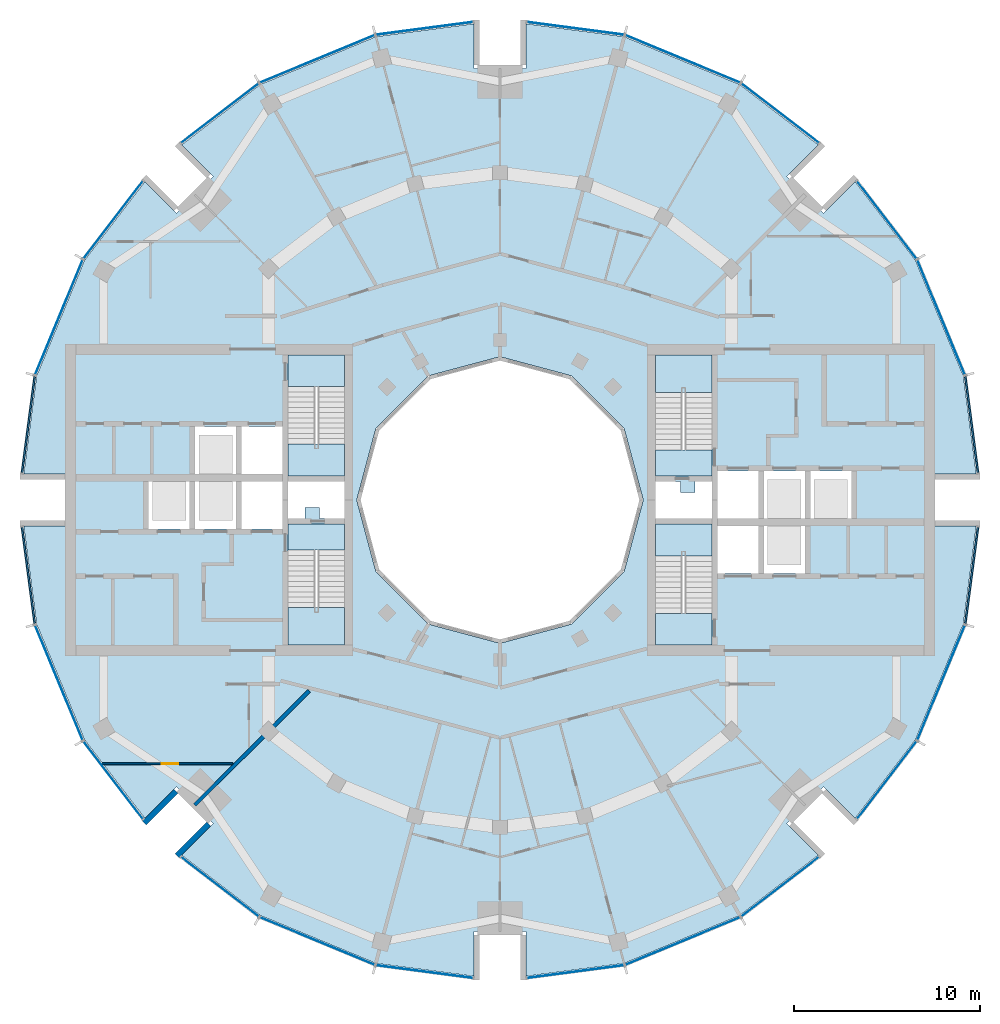
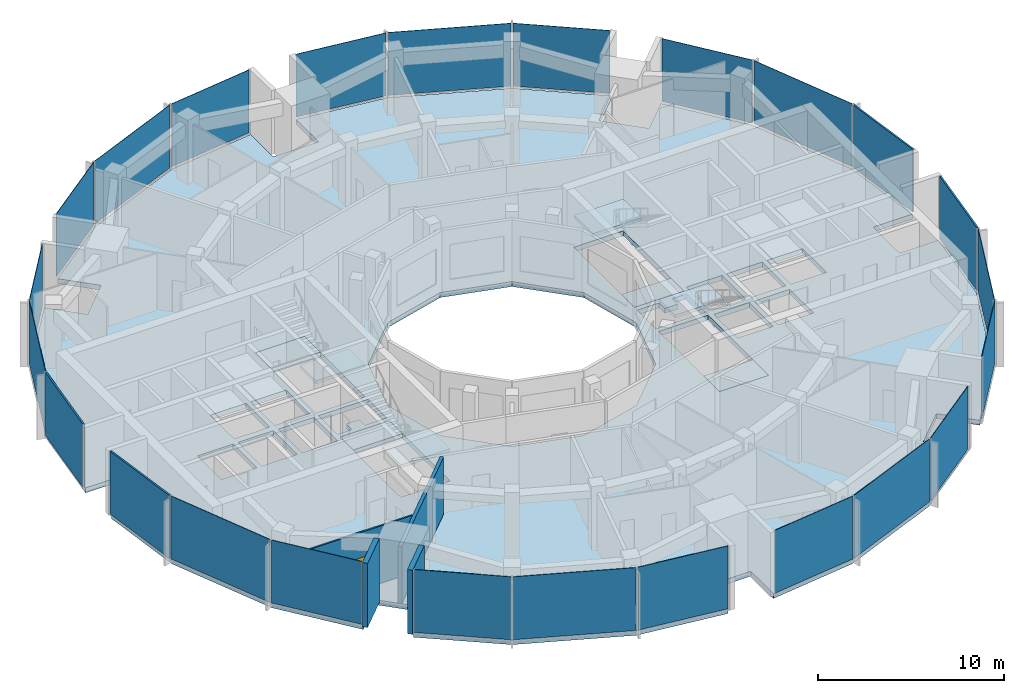
# One storey, part 7 of 15: 24 plates, 9 slabs, 4 walls, 1 door, 1 opening, 28 elements without a shape of their own.
"""IFC4 building model written with IfcOpenShell, lengths in metres."""

from ifc_helpers import new_model, si_unit, direction, frame, frame_2d, origin, origin_2d, place, context, subcontext, project, spatial, polyline, rectangle, outline, extrude, material, layer, layer_set, type_object, element, fill, aggregate, save


model = new_model("IFC4")

# Units and contexts
model_context = context("Model", 3, precision=1e-05, world=origin(), true_north=direction((0.0, 1.0)))
body_context = subcontext(model_context, "Body", "Model", "MODEL_VIEW")
ifc_project = project(units=[si_unit("LENGTHUNIT", "METRE"), si_unit("AREAUNIT", "SQUARE_METRE"), si_unit("VOLUMEUNIT", "CUBIC_METRE"), si_unit("PLANEANGLEUNIT", "RADIAN"), si_unit("MASSUNIT", "GRAM", prefix="KILO")], contexts=[model_context])

# Site, building, storey
site_placement = place(None, origin())
site = spatial("IfcSite", under=ifc_project, at=site_placement, CompositionType="ELEMENT")
building_placement = place(site_placement, origin())
building = spatial("IfcBuilding", under=site, at=building_placement, Name="Torre Brocal", CompositionType="ELEMENT")
storey_placement = place(building_placement, frame((0.0, 0.0, 262.5)))
storey = spatial("IfcBuildingStorey", under=building, at=storey_placement, Name="L60", CompositionType="ELEMENT", Elevation=262.5)

# Curtain wall, plate
ifc_material_1 = material(Name="Aluminium and glass", Category="aluminium")
ifc_layer_1 = layer(ifc_material_1, 0.199951171875)
ifc_layer_set_1 = layer_set([ifc_layer_1], Name="Aluminium and glass")
curtain_wall_type_1 = type_object("IfcCurtainWallType", Name="CW-1 CURTAIN WALL 4200 HIGH", PredefinedType="NOTDEFINED", material=ifc_layer_set_1)
curtain_wall_1_placement = place(storey_placement, origin())
curtain_wall_1 = element("IfcCurtainWall", 1, at=curtain_wall_1_placement, inside=storey, type_object=curtain_wall_type_1, Name="CW-1 RUN 2", PredefinedType="NOTDEFINED")
ifc_material_2 = material(Name="Glass, dark tinted laminated", Category="glass")
ifc_layer_2 = layer(ifc_material_2, 0.031982421875)
ifc_layer_set_2 = layer_set([ifc_layer_2], Name="Glass, dark tinted laminated")
plate_type_1 = type_object("IfcPlateType", Name="CW-1 GLASS PANEL 32", PredefinedType="CURTAIN_PANEL", material=ifc_layer_set_2)
plate_1_placement = place(storey_placement, frame((103.722900390625, 84.826416015625, 0.079833984375), z_axis=(0.0, 0.0, 1.0), x_axis=(-0.382683432333, 0.923879532525, 0.0)))
plate_1 = element("IfcPlate", 2, at=plate_1_placement, type_object=plate_type_1, Name="CW1-5 panel 1.1", PredefinedType="CURTAIN_PANEL", context=body_context, shape_type="SweptSolid", body=[
    extrude(rectangle(XDim=6.64111328125, YDim=0.031982421875, at=origin_2d()), origin(), (0.0, 0.0, 1.0), 4.1201171875),
])
aggregate(curtain_wall_1, [plate_1])

curtain_wall_2_placement = place(storey_placement, origin())
curtain_wall_2 = element("IfcCurtainWall", 3, at=curtain_wall_2_placement, inside=storey, type_object=curtain_wall_type_1, Name="CW-1 RUN 3", PredefinedType="NOTDEFINED")
plate_2_placement = place(storey_placement, frame((100.80126953125, 90.0712890625, 0.079833984375), z_axis=(0.0, 0.0, 1.0), x_axis=(-0.60876142905, 0.793353340259, 0.0)))
plate_2 = element("IfcPlate", 4, at=plate_2_placement, type_object=plate_type_1, Name="CW1-5 panel 1.1", PredefinedType="CURTAIN_PANEL", context=body_context, shape_type="SweptSolid", body=[
    extrude(rectangle(XDim=5.22900390625, YDim=0.031982421875, at=origin_2d()), origin(), (0.0, 0.0, 1.0), 4.1201171875),
])
aggregate(curtain_wall_2, [plate_2])

curtain_wall_3_placement = place(storey_placement, origin())
curtain_wall_3 = element("IfcCurtainWall", 5, at=curtain_wall_3_placement, inside=storey, type_object=curtain_wall_type_1, Name="CW-1 RUN 4", PredefinedType="NOTDEFINED")
plate_3_placement = place(storey_placement, frame((95.0712890625, 95.80126953125, 0.079833984375), z_axis=(0.0, 0.0, 1.0), x_axis=(-0.793353340259, 0.60876142905, 0.0)))
plate_3 = element("IfcPlate", 6, at=plate_3_placement, type_object=plate_type_1, Name="CW1-5 panel 1.1", PredefinedType="CURTAIN_PANEL", context=body_context, shape_type="SweptSolid", body=[
    extrude(rectangle(XDim=5.22900390625, YDim=0.031982421875, at=origin_2d()), origin(), (0.0, 0.0, 1.0), 4.1201171875),
])
aggregate(curtain_wall_3, [plate_3])

curtain_wall_4_placement = place(storey_placement, origin())
curtain_wall_4 = element("IfcCurtainWall", 7, at=curtain_wall_4_placement, inside=storey, type_object=curtain_wall_type_1, Name="CW-1 RUN 5", PredefinedType="NOTDEFINED")
plate_4_placement = place(storey_placement, frame((89.826416015625, 98.722900390625, 0.079833984375), z_axis=(0.0, 0.0, 1.0), x_axis=(-0.923879532525, 0.382683432333, 0.0)))
plate_4 = element("IfcPlate", 8, at=plate_4_placement, type_object=plate_type_1, Name="CW1-5 panel 1.1", PredefinedType="CURTAIN_PANEL", context=body_context, shape_type="SweptSolid", body=[
    extrude(rectangle(XDim=6.64111328125, YDim=0.031982421875, at=origin_2d()), origin(), (0.0, 0.0, 1.0), 4.1201171875),
])
aggregate(curtain_wall_4, [plate_4])

curtain_wall_5_placement = place(storey_placement, origin())
curtain_wall_5 = element("IfcCurtainWall", 9, at=curtain_wall_5_placement, inside=storey, type_object=curtain_wall_type_1, Name="CW-1 RUN 6", PredefinedType="NOTDEFINED")
plate_5_placement = place(storey_placement, frame((84.051513671875, 100.36572265625, 0.079833984375), z_axis=(0.0, 0.0, 1.0), x_axis=(-0.991444861374, 0.13052619222, 0.0)))
plate_5 = element("IfcPlate", 10, at=plate_5_placement, type_object=plate_type_1, Name="CW1-5 panel 1.1", PredefinedType="CURTAIN_PANEL", context=body_context, shape_type="SweptSolid", body=[
    extrude(rectangle(XDim=5.22900390625, YDim=0.031982421875, at=origin_2d()), origin(), (0.0, 0.0, 1.0), 4.1201171875),
])
aggregate(curtain_wall_5, [plate_5])

curtain_wall_6_placement = place(storey_placement, origin())
curtain_wall_6 = element("IfcCurtainWall", 11, at=curtain_wall_6_placement, inside=storey, type_object=curtain_wall_type_1, Name="CW-1 RUN 7", PredefinedType="NOTDEFINED")
plate_6_placement = place(storey_placement, frame((75.948486328125, 100.36572265625, 0.079833984375), z_axis=(0.0, 0.0, 1.0), x_axis=(-0.991444861374, -0.13052619222, 0.0)))
plate_6 = element("IfcPlate", 12, at=plate_6_placement, type_object=plate_type_1, Name="CW1-5 panel 1.1", PredefinedType="CURTAIN_PANEL", context=body_context, shape_type="SweptSolid", body=[
    extrude(rectangle(XDim=5.22900390625, YDim=0.031982421875, at=origin_2d()), origin(), (0.0, 0.0, 1.0), 4.1201171875),
])
aggregate(curtain_wall_6, [plate_6])

curtain_wall_7_placement = place(storey_placement, origin())
curtain_wall_7 = element("IfcCurtainWall", 13, at=curtain_wall_7_placement, inside=storey, type_object=curtain_wall_type_1, Name="CW-1 RUN 8", PredefinedType="NOTDEFINED")
plate_7_placement = place(storey_placement, frame((70.173583984375, 98.722900390625, 0.079833984375), z_axis=(0.0, 0.0, 1.0), x_axis=(-0.923879532525, -0.382683432333, 0.0)))
plate_7 = element("IfcPlate", 14, at=plate_7_placement, type_object=plate_type_1, Name="CW1-5 panel 1.1", PredefinedType="CURTAIN_PANEL", context=body_context, shape_type="SweptSolid", body=[
    extrude(rectangle(XDim=6.64111328125, YDim=0.031982421875, at=origin_2d()), origin(), (0.0, 0.0, 1.0), 4.1201171875),
])
aggregate(curtain_wall_7, [plate_7])

curtain_wall_8_placement = place(storey_placement, origin())
curtain_wall_8 = element("IfcCurtainWall", 15, at=curtain_wall_8_placement, inside=storey, type_object=curtain_wall_type_1, Name="CW-1 RUN 9", PredefinedType="NOTDEFINED")
plate_8_placement = place(storey_placement, frame((64.9287109375, 95.80126953125, 0.079833984375), z_axis=(0.0, 0.0, 1.0), x_axis=(-0.793353340259, -0.60876142905, 0.0)))
plate_8 = element("IfcPlate", 16, at=plate_8_placement, type_object=plate_type_1, Name="CW1-5 panel 1.1", PredefinedType="CURTAIN_PANEL", context=body_context, shape_type="SweptSolid", body=[
    extrude(rectangle(XDim=5.22900390625, YDim=0.031982421875, at=origin_2d()), origin(), (0.0, 0.0, 1.0), 4.1201171875),
])
aggregate(curtain_wall_8, [plate_8])

curtain_wall_9_placement = place(storey_placement, origin())
curtain_wall_9 = element("IfcCurtainWall", 17, at=curtain_wall_9_placement, inside=storey, type_object=curtain_wall_type_1, Name="CW-1 RUN 10", PredefinedType="NOTDEFINED")
plate_9_placement = place(storey_placement, frame((59.19873046875, 90.0712890625, 0.079833984375), z_axis=(0.0, 0.0, 1.0), x_axis=(-0.60876142905, -0.793353340259, 0.0)))
plate_9 = element("IfcPlate", 18, at=plate_9_placement, type_object=plate_type_1, Name="CW1-5 panel 1.1", PredefinedType="CURTAIN_PANEL", context=body_context, shape_type="SweptSolid", body=[
    extrude(rectangle(XDim=5.22900390625, YDim=0.031982421875, at=origin_2d()), origin(), (0.0, 0.0, 1.0), 4.1201171875),
])
aggregate(curtain_wall_9, [plate_9])

curtain_wall_10_placement = place(storey_placement, origin())
curtain_wall_10 = element("IfcCurtainWall", 19, at=curtain_wall_10_placement, inside=storey, type_object=curtain_wall_type_1, Name="CW-1 RUN 11", PredefinedType="NOTDEFINED")
plate_10_placement = place(storey_placement, frame((56.277099609375, 84.826416015625, 0.079833984375), z_axis=(0.0, 0.0, 1.0), x_axis=(-0.382683432333, -0.923879532525, 0.0)))
plate_10 = element("IfcPlate", 20, at=plate_10_placement, type_object=plate_type_1, Name="CW1-5 panel 1.1", PredefinedType="CURTAIN_PANEL", context=body_context, shape_type="SweptSolid", body=[
    extrude(rectangle(XDim=6.64111328125, YDim=0.031982421875, at=origin_2d()), origin(), (0.0, 0.0, 1.0), 4.1201171875),
])
aggregate(curtain_wall_10, [plate_10])

curtain_wall_11_placement = place(storey_placement, origin())
curtain_wall_11 = element("IfcCurtainWall", 21, at=curtain_wall_11_placement, inside=storey, type_object=curtain_wall_type_1, Name="CW-1 RUN 14", PredefinedType="NOTDEFINED")
plate_11_placement = place(storey_placement, frame((56.277099609375, 65.173583984375, 0.079833984375), z_axis=(0.0, 0.0, 1.0), x_axis=(0.382683432333, -0.923879532525, 0.0)))
plate_11 = element("IfcPlate", 22, at=plate_11_placement, type_object=plate_type_1, Name="CW1-5 panel 1.1", PredefinedType="CURTAIN_PANEL", context=body_context, shape_type="SweptSolid", body=[
    extrude(rectangle(XDim=6.64111328125, YDim=0.031982421875, at=origin_2d()), origin(), (0.0, 0.0, 1.0), 4.1201171875),
])
aggregate(curtain_wall_11, [plate_11])

curtain_wall_12_placement = place(storey_placement, origin())
curtain_wall_12 = element("IfcCurtainWall", 23, at=curtain_wall_12_placement, inside=storey, type_object=curtain_wall_type_1, Name="CW-1 RUN 15", PredefinedType="NOTDEFINED")
plate_12_placement = place(storey_placement, frame((59.19873046875, 59.9287109375, 0.079833984375), z_axis=(0.0, 0.0, 1.0), x_axis=(0.60876142905, -0.793353340259, 0.0)))
plate_12 = element("IfcPlate", 24, at=plate_12_placement, type_object=plate_type_1, Name="CW1-5 panel 1.1", PredefinedType="CURTAIN_PANEL", context=body_context, shape_type="SweptSolid", body=[
    extrude(rectangle(XDim=5.22900390625, YDim=0.031982421875, at=origin_2d()), origin(), (0.0, 0.0, 1.0), 4.1201171875),
])
aggregate(curtain_wall_12, [plate_12])

curtain_wall_13_placement = place(storey_placement, origin())
curtain_wall_13 = element("IfcCurtainWall", 25, at=curtain_wall_13_placement, inside=storey, type_object=curtain_wall_type_1, Name="CW-1 RUN 16", PredefinedType="NOTDEFINED")
plate_13_placement = place(storey_placement, frame((64.9287109375, 54.19873046875, 0.079833984375), z_axis=(0.0, 0.0, 1.0), x_axis=(0.793353340259, -0.60876142905, 0.0)))
plate_13 = element("IfcPlate", 26, at=plate_13_placement, type_object=plate_type_1, Name="CW1-5 panel 1.1", PredefinedType="CURTAIN_PANEL", context=body_context, shape_type="SweptSolid", body=[
    extrude(rectangle(XDim=5.22900390625, YDim=0.031982421875, at=origin_2d()), origin(), (0.0, 0.0, 1.0), 4.1201171875),
])
aggregate(curtain_wall_13, [plate_13])

curtain_wall_14_placement = place(storey_placement, origin())
curtain_wall_14 = element("IfcCurtainWall", 27, at=curtain_wall_14_placement, inside=storey, type_object=curtain_wall_type_1, Name="CW-1 RUN 17", PredefinedType="NOTDEFINED")
plate_14_placement = place(storey_placement, frame((70.173583984375, 51.277099609375, 0.079833984375), z_axis=(0.0, 0.0, 1.0), x_axis=(0.923879532525, -0.382683432333, 0.0)))
plate_14 = element("IfcPlate", 28, at=plate_14_placement, type_object=plate_type_1, Name="CW1-5 panel 1.1", PredefinedType="CURTAIN_PANEL", context=body_context, shape_type="SweptSolid", body=[
    extrude(rectangle(XDim=6.64111328125, YDim=0.031982421875, at=origin_2d()), origin(), (0.0, 0.0, 1.0), 4.1201171875),
])
aggregate(curtain_wall_14, [plate_14])

curtain_wall_15_placement = place(storey_placement, origin())
curtain_wall_15 = element("IfcCurtainWall", 29, at=curtain_wall_15_placement, inside=storey, type_object=curtain_wall_type_1, Name="CW-1 RUN 18", PredefinedType="NOTDEFINED")
plate_15_placement = place(storey_placement, frame((75.948486328125, 49.63427734375, 0.079833984375), z_axis=(0.0, 0.0, 1.0), x_axis=(0.991444861374, -0.13052619222, 0.0)))
plate_15 = element("IfcPlate", 30, at=plate_15_placement, type_object=plate_type_1, Name="CW1-5 panel 1.1", PredefinedType="CURTAIN_PANEL", context=body_context, shape_type="SweptSolid", body=[
    extrude(rectangle(XDim=5.22900390625, YDim=0.031982421875, at=origin_2d()), origin(), (0.0, 0.0, 1.0), 4.1201171875),
])
aggregate(curtain_wall_15, [plate_15])

curtain_wall_16_placement = place(storey_placement, origin())
curtain_wall_16 = element("IfcCurtainWall", 31, at=curtain_wall_16_placement, inside=storey, type_object=curtain_wall_type_1, Name="CW-1 RUN 19", PredefinedType="NOTDEFINED")
plate_16_placement = place(storey_placement, frame((84.051513671875, 49.63427734375, 0.079833984375), z_axis=(0.0, 0.0, 1.0), x_axis=(0.991444861374, 0.13052619222, 0.0)))
plate_16 = element("IfcPlate", 32, at=plate_16_placement, type_object=plate_type_1, Name="CW1-5 panel 1.1", PredefinedType="CURTAIN_PANEL", context=body_context, shape_type="SweptSolid", body=[
    extrude(rectangle(XDim=5.22900390625, YDim=0.031982421875, at=origin_2d()), origin(), (0.0, 0.0, 1.0), 4.1201171875),
])
aggregate(curtain_wall_16, [plate_16])

curtain_wall_17_placement = place(storey_placement, origin())
curtain_wall_17 = element("IfcCurtainWall", 33, at=curtain_wall_17_placement, inside=storey, type_object=curtain_wall_type_1, Name="CW-1 RUN 20", PredefinedType="NOTDEFINED")
plate_17_placement = place(storey_placement, frame((89.826416015625, 51.277099609375, 0.079833984375), z_axis=(0.0, 0.0, 1.0), x_axis=(0.923879532525, 0.382683432333, 0.0)))
plate_17 = element("IfcPlate", 34, at=plate_17_placement, type_object=plate_type_1, Name="CW1-5 panel 1.1", PredefinedType="CURTAIN_PANEL", context=body_context, shape_type="SweptSolid", body=[
    extrude(rectangle(XDim=6.64111328125, YDim=0.031982421875, at=origin_2d()), origin(), (0.0, 0.0, 1.0), 4.1201171875),
])
aggregate(curtain_wall_17, [plate_17])

curtain_wall_18_placement = place(storey_placement, origin())
curtain_wall_18 = element("IfcCurtainWall", 35, at=curtain_wall_18_placement, inside=storey, type_object=curtain_wall_type_1, Name="CW-1 RUN 21", PredefinedType="NOTDEFINED")
plate_18_placement = place(storey_placement, frame((95.0712890625, 54.19873046875, 0.079833984375), z_axis=(0.0, 0.0, 1.0), x_axis=(0.793353340259, 0.60876142905, 0.0)))
plate_18 = element("IfcPlate", 36, at=plate_18_placement, type_object=plate_type_1, Name="CW1-5 panel 1.1", PredefinedType="CURTAIN_PANEL", context=body_context, shape_type="SweptSolid", body=[
    extrude(rectangle(XDim=5.22900390625, YDim=0.031982421875, at=origin_2d()), origin(), (0.0, 0.0, 1.0), 4.1201171875),
])
aggregate(curtain_wall_18, [plate_18])

curtain_wall_19_placement = place(storey_placement, origin())
curtain_wall_19 = element("IfcCurtainWall", 37, at=curtain_wall_19_placement, inside=storey, type_object=curtain_wall_type_1, Name="CW-1 RUN 22", PredefinedType="NOTDEFINED")
plate_19_placement = place(storey_placement, frame((100.80126953125, 59.9287109375, 0.079833984375), z_axis=(0.0, 0.0, 1.0), x_axis=(0.60876142905, 0.793353340259, 0.0)))
plate_19 = element("IfcPlate", 38, at=plate_19_placement, type_object=plate_type_1, Name="CW1-5 panel 1.1", PredefinedType="CURTAIN_PANEL", context=body_context, shape_type="SweptSolid", body=[
    extrude(rectangle(XDim=5.22900390625, YDim=0.031982421875, at=origin_2d()), origin(), (0.0, 0.0, 1.0), 4.1201171875),
])
aggregate(curtain_wall_19, [plate_19])

curtain_wall_20_placement = place(storey_placement, origin())
curtain_wall_20 = element("IfcCurtainWall", 39, at=curtain_wall_20_placement, inside=storey, type_object=curtain_wall_type_1, Name="CW-1 RUN 23", PredefinedType="NOTDEFINED")
plate_20_placement = place(storey_placement, frame((103.722900390625, 65.173583984375, 0.079833984375), z_axis=(0.0, 0.0, 1.0), x_axis=(0.382683432333, 0.923879532525, 0.0)))
plate_20 = element("IfcPlate", 40, at=plate_20_placement, type_object=plate_type_1, Name="CW1-5 panel 1.1", PredefinedType="CURTAIN_PANEL", context=body_context, shape_type="SweptSolid", body=[
    extrude(rectangle(XDim=6.64111328125, YDim=0.031982421875, at=origin_2d()), origin(), (0.0, 0.0, 1.0), 4.1201171875),
])
aggregate(curtain_wall_20, [plate_20])

ifc_material_3 = material(Name="Aluminium and glass", Category="aluminium")
ifc_layer_3 = layer(ifc_material_3, 0.199951171875)
ifc_layer_set_3 = layer_set([ifc_layer_3], Name="Aluminium and glass")
curtain_wall_type_2 = type_object("IfcCurtainWallType", Name="CW-1B CURTAIN WALL 4200 HIGH", PredefinedType="NOTDEFINED", material=ifc_layer_set_3)
curtain_wall_21_placement = place(storey_placement, origin())
curtain_wall_21 = element("IfcCurtainWall", 41, at=curtain_wall_21_placement, inside=storey, type_object=curtain_wall_type_2, Name="CW-1B RUN 1", PredefinedType="NOTDEFINED")
ifc_material_4 = material(Name="Aluminium composite panel", Category="aluminium")
ifc_layer_4 = layer(ifc_material_4, 0.10009765625)
ifc_layer_set_4 = layer_set([ifc_layer_4], Name="Aluminium composite panel")
plate_type_2 = type_object("IfcPlateType", Name="CW-1B OPAQUE PANEL 100", PredefinedType="CURTAIN_PANEL", material=ifc_layer_set_4)
plate_21_placement = place(storey_placement, frame((105.36572265625, 79.051513671875, 0.079833984375), z_axis=(0.0, 0.0, 1.0), x_axis=(-0.13052619222, 0.991444861374, 0.0)))
plate_21 = element("IfcPlate", 42, at=plate_21_placement, type_object=plate_type_2, Name="CW1B-5 panel 1.1", PredefinedType="CURTAIN_PANEL", context=body_context, shape_type="SweptSolid", body=[
    extrude(rectangle(XDim=5.22900390625, YDim=0.10009765625, at=origin_2d()), origin(), (0.0, 0.0, 1.0), 4.1201171875),
])
aggregate(curtain_wall_21, [plate_21])

curtain_wall_22_placement = place(storey_placement, origin())
curtain_wall_22 = element("IfcCurtainWall", 43, at=curtain_wall_22_placement, inside=storey, type_object=curtain_wall_type_2, Name="CW-1B RUN 12", PredefinedType="NOTDEFINED")
plate_22_placement = place(storey_placement, frame((54.63427734375, 79.051513671875, 0.079833984375), z_axis=(0.0, 0.0, 1.0), x_axis=(-0.13052619222, -0.991444861374, 0.0)))
plate_22 = element("IfcPlate", 44, at=plate_22_placement, type_object=plate_type_2, Name="CW1B-5 panel 1.1", PredefinedType="CURTAIN_PANEL", context=body_context, shape_type="SweptSolid", body=[
    extrude(rectangle(XDim=5.22900390625, YDim=0.10009765625, at=origin_2d()), origin(), (0.0, 0.0, 1.0), 4.1201171875),
])
aggregate(curtain_wall_22, [plate_22])

curtain_wall_23_placement = place(storey_placement, origin())
curtain_wall_23 = element("IfcCurtainWall", 45, at=curtain_wall_23_placement, inside=storey, type_object=curtain_wall_type_2, Name="CW-1B RUN 13", PredefinedType="NOTDEFINED")
plate_23_placement = place(storey_placement, frame((54.63427734375, 70.948486328125, 0.079833984375), z_axis=(0.0, 0.0, 1.0), x_axis=(0.13052619222, -0.991444861374, 0.0)))
plate_23 = element("IfcPlate", 46, at=plate_23_placement, type_object=plate_type_2, Name="CW1B-5 panel 1.1", PredefinedType="CURTAIN_PANEL", context=body_context, shape_type="SweptSolid", body=[
    extrude(rectangle(XDim=5.22900390625, YDim=0.10009765625, at=origin_2d()), origin(), (0.0, 0.0, 1.0), 4.1201171875),
])
aggregate(curtain_wall_23, [plate_23])

curtain_wall_24_placement = place(storey_placement, origin())
curtain_wall_24 = element("IfcCurtainWall", 47, at=curtain_wall_24_placement, inside=storey, type_object=curtain_wall_type_2, Name="CW-1B RUN 24", PredefinedType="NOTDEFINED")
plate_24_placement = place(storey_placement, frame((105.36572265625, 70.948486328125, 0.079833984375), z_axis=(0.0, 0.0, 1.0), x_axis=(0.13052619222, 0.991444861374, 0.0)))
plate_24 = element("IfcPlate", 48, at=plate_24_placement, type_object=plate_type_2, Name="CW1B-5 panel 1.1", PredefinedType="CURTAIN_PANEL", context=body_context, shape_type="SweptSolid", body=[
    extrude(rectangle(XDim=5.22900390625, YDim=0.10009765625, at=origin_2d()), origin(), (0.0, 0.0, 1.0), 4.1201171875),
])
aggregate(curtain_wall_24, [plate_24])

# Stair, slab
ifc_material_5 = material(Name="Concrete C50", Category="concrete")
stair_type = type_object("IfcStairType", Name="EXIT STAIR", PredefinedType="HALF_TURN_STAIR", material=ifc_material_5)
stair_1_placement = place(storey_placement, origin())
stair_1 = element("IfcStair", 49, at=stair_1_placement, inside=storey, type_object=stair_type, Name="EXIT STAIR ST1", PredefinedType="HALF_TURN_STAIR")
ifc_material_6 = material(Name="Concrete C50", Category="concrete")
ifc_layer_5 = layer(ifc_material_6, 0.320068359375)
ifc_layer_set_5 = layer_set([ifc_layer_5], Name="Concrete C50")
slab_type_1 = type_object("IfcSlabType", Name="FLOOR LANDING 320", PredefinedType="LANDING", material=ifc_layer_set_5)
slab_1_placement = place(storey_placement, frame((0.0, 0.0, -0.320068359375)))
slab_1 = element("IfcSlab", 50, at=slab_1_placement, type_object=slab_type_1, Name="ST1 landing 1", PredefinedType="LANDING", context=body_context, shape_type="SweptSolid", body=[
    extrude(outline(polyline([(88.35009765625, 76.300048828125), (91.39990234375, 76.300048828125), (91.39990234375, 77.699951171875), (88.35009765625, 77.699951171875), (88.35009765625, 76.300048828125)])), origin(), (0.0, 0.0, 1.0), 0.320068359375),
])

stair_2_placement = place(storey_placement, origin())
stair_2 = element("IfcStair", 51, at=stair_2_placement, inside=storey, type_object=stair_type, Name="EXIT STAIR ST2", PredefinedType="HALF_TURN_STAIR")
slab_2_placement = place(storey_placement, frame((0.0, 0.0, -0.320068359375)))
slab_2 = element("IfcSlab", 52, at=slab_2_placement, type_object=slab_type_1, Name="ST2 landing 1", PredefinedType="LANDING", context=body_context, shape_type="SweptSolid", body=[
    extrude(outline(polyline([(88.35009765625, 67.199951171875), (91.39990234375, 67.199951171875), (91.39990234375, 68.89990234375), (88.35009765625, 68.89990234375), (88.35009765625, 67.199951171875)])), origin(), (0.0, 0.0, 1.0), 0.320068359375),
])

stair_3_placement = place(storey_placement, origin())
stair_3 = element("IfcStair", 53, at=stair_3_placement, inside=storey, type_object=stair_type, Name="EXIT STAIR ST3", PredefinedType="HALF_TURN_STAIR")
slab_3_placement = place(storey_placement, frame((0.0, 0.0, -0.320068359375)))
slab_3 = element("IfcSlab", 54, at=slab_3_placement, type_object=slab_type_1, Name="ST3 landing 1", PredefinedType="LANDING", context=body_context, shape_type="SweptSolid", body=[
    extrude(outline(polyline([(71.64990234375, 73.699951171875), (68.60009765625, 73.699951171875), (68.60009765625, 72.300048828125), (71.64990234375, 72.300048828125), (71.64990234375, 73.699951171875)])), origin(), (0.0, 0.0, 1.0), 0.320068359375),
])

stair_4_placement = place(storey_placement, origin())
stair_4 = element("IfcStair", 55, at=stair_4_placement, inside=storey, type_object=stair_type, Name="EXIT STAIR ST4", PredefinedType="HALF_TURN_STAIR")
slab_4_placement = place(storey_placement, frame((0.0, 0.0, -0.320068359375)))
slab_4 = element("IfcSlab", 56, at=slab_4_placement, type_object=slab_type_1, Name="ST4 landing 1", PredefinedType="LANDING", context=body_context, shape_type="SweptSolid", body=[
    extrude(outline(polyline([(71.64990234375, 82.800048828125), (68.60009765625, 82.800048828125), (68.60009765625, 81.10009765625), (71.64990234375, 81.10009765625), (71.64990234375, 82.800048828125)])), origin(), (0.0, 0.0, 1.0), 0.320068359375),
])

# Slab
ifc_material_7 = material(Name="Concrete C50", Category="concrete")
ifc_layer_6 = layer(ifc_material_7, 0.199951171875)
ifc_layer_set_6 = layer_set([ifc_layer_6], Name="Concrete C50")
slab_type_2 = type_object("IfcSlabType", Name="MID LANDING +2100", PredefinedType="LANDING", material=ifc_layer_set_6)
slab_5_placement = place(storey_placement, frame((0.0, 0.0, 1.89990234375)))
slab_5 = element("IfcSlab", 57, at=slab_5_placement, type_object=slab_type_2, Name="ST1 landing 2", PredefinedType="LANDING", context=body_context, shape_type="SweptSolid", body=[
    extrude(outline(polyline([(88.35009765625, 80.780029296875), (91.39990234375, 80.780029296875), (91.39990234375, 82.800048828125), (88.35009765625, 82.800048828125), (88.35009765625, 80.780029296875)])), origin(), (0.0, 0.0, 1.0), 0.2001953125),
])

aggregate(stair_1, [slab_1, slab_5])

slab_6_placement = place(storey_placement, frame((0.0, 0.0, 1.89990234375)))
slab_6 = element("IfcSlab", 58, at=slab_6_placement, type_object=slab_type_2, Name="ST2 landing 2", PredefinedType="LANDING", context=body_context, shape_type="SweptSolid", body=[
    extrude(outline(polyline([(88.35009765625, 71.97998046875), (91.39990234375, 71.97998046875), (91.39990234375, 73.699951171875), (88.35009765625, 73.699951171875), (88.35009765625, 71.97998046875)])), origin(), (0.0, 0.0, 1.0), 0.2001953125),
])

aggregate(stair_2, [slab_2, slab_6])

slab_7_placement = place(storey_placement, frame((0.0, 0.0, 1.89990234375)))
slab_7 = element("IfcSlab", 59, at=slab_7_placement, type_object=slab_type_2, Name="ST3 landing 2", PredefinedType="LANDING", context=body_context, shape_type="SweptSolid", body=[
    extrude(outline(polyline([(71.64990234375, 69.219970703125), (68.60009765625, 69.219970703125), (68.60009765625, 67.199951171875), (71.64990234375, 67.199951171875), (71.64990234375, 69.219970703125)])), origin(), (0.0, 0.0, 1.0), 0.2001953125),
])

aggregate(stair_3, [slab_3, slab_7])

slab_8_placement = place(storey_placement, frame((0.0, 0.0, 1.89990234375)))
slab_8 = element("IfcSlab", 60, at=slab_8_placement, type_object=slab_type_2, Name="ST4 landing 2", PredefinedType="LANDING", context=body_context, shape_type="SweptSolid", body=[
    extrude(outline(polyline([(71.64990234375, 78.02001953125), (68.60009765625, 78.02001953125), (68.60009765625, 76.300048828125), (71.64990234375, 76.300048828125), (71.64990234375, 78.02001953125)])), origin(), (0.0, 0.0, 1.0), 0.2001953125),
])

aggregate(stair_4, [slab_4, slab_8])

ifc_material_8 = material(Name="Concrete C45", Category="concrete")
ifc_layer_7 = layer(ifc_material_8, 0.320068359375)
ifc_layer_set_7 = layer_set([ifc_layer_7], Name="Concrete C45")
slab_type_3 = type_object("IfcSlabType", Name="PT FLOOR SLAB 320 C45", PredefinedType="FLOOR", material=ifc_layer_set_7)
slab_9_placement = place(storey_placement, frame((0.0, 0.0, -0.320068359375)))
element("IfcSlab", 61, at=slab_9_placement, inside=storey, type_object=slab_type_3, Name="Slab ST-05", PredefinedType="FLOOR", context=body_context, shape_type="SweptSolid", body=[
    extrude(outline(polyline([(103.199951171875, 76.39990234375), (103.199951171875, 73.60009765625), (105.614013671875, 73.60009765625), (104.919189453125, 68.322998046875), (102.342041015625, 62.100830078125), (99.101806640625, 57.878173828125), (97.394775390625, 59.5849609375), (95.4150390625, 57.605224609375), (97.121826171875, 55.898193359375), (92.899169921875, 52.657958984375), (86.677001953125, 50.080810546875), (81.39990234375, 49.385986328125), (81.39990234375, 51.800048828125), (78.60009765625, 51.800048828125), (78.60009765625, 49.385986328125), (73.322998046875, 50.080810546875), (67.100830078125, 52.657958984375), (62.878173828125, 55.898193359375), (64.5849609375, 57.605224609375), (62.605224609375, 59.5849609375), (60.898193359375, 57.878173828125), (57.657958984375, 62.100830078125), (55.080810546875, 68.322998046875), (54.385986328125, 73.60009765625), (56.800048828125, 73.60009765625), (56.800048828125, 76.39990234375), (54.385986328125, 76.39990234375), (55.080810546875, 81.677001953125), (57.657958984375, 87.899169921875), (60.898193359375, 92.121826171875), (62.605224609375, 90.4150390625), (64.5849609375, 92.394775390625), (62.878173828125, 94.101806640625), (67.100830078125, 97.342041015625), (73.322998046875, 99.919189453125), (78.60009765625, 100.614013671875), (78.60009765625, 98.199951171875), (81.39990234375, 98.199951171875), (81.39990234375, 100.614013671875), (86.677001953125, 99.919189453125), (92.899169921875, 97.342041015625), (97.121826171875, 94.101806640625), (95.4150390625, 92.394775390625), (97.394775390625, 90.4150390625), (99.101806640625, 92.121826171875), (102.342041015625, 87.899169921875), (104.919189453125, 81.677001953125), (105.614013671875, 76.39990234375), (103.199951171875, 76.39990234375)]), holes=[polyline([(98.89990234375, 76.550048828125), (96.699951171875, 76.550048828125), (96.699951171875, 74.0), (98.89990234375, 74.0), (98.89990234375, 76.550048828125)]), polyline([(96.39990234375, 76.550048828125), (94.199951171875, 76.550048828125), (94.199951171875, 74.0), (96.39990234375, 74.0), (96.39990234375, 76.550048828125)]), polyline([(96.39990234375, 73.60009765625), (94.199951171875, 73.60009765625), (94.199951171875, 71.050048828125), (96.39990234375, 71.050048828125), (96.39990234375, 73.60009765625)]), polyline([(93.89990234375, 76.550048828125), (91.699951171875, 76.550048828125), (91.699951171875, 74.0), (93.89990234375, 74.0), (93.89990234375, 76.550048828125)]), polyline([(93.89990234375, 73.60009765625), (91.699951171875, 73.60009765625), (91.699951171875, 71.050048828125), (93.89990234375, 71.050048828125), (93.89990234375, 73.60009765625)]), polyline([(89.699951171875, 76.0), (88.35009765625, 76.0), (88.35009765625, 74.0), (91.39990234375, 74.0), (91.39990234375, 76.0), (90.5, 76.0), (90.5, 75.39990234375), (89.699951171875, 75.39990234375), (89.699951171875, 76.0)]), polyline([(91.39990234375, 82.800048828125), (88.35009765625, 82.800048828125), (88.35009765625, 76.300048828125), (91.39990234375, 76.300048828125), (91.39990234375, 82.800048828125)]), polyline([(91.39990234375, 73.699951171875), (88.35009765625, 73.699951171875), (88.35009765625, 67.199951171875), (91.39990234375, 67.199951171875), (91.39990234375, 73.699951171875)]), polyline([(80.0, 82.70703125), (76.146484375, 81.674560546875), (73.325439453125, 78.853515625), (72.29296875, 75.0), (73.325439453125, 71.146484375), (76.146484375, 68.325439453125), (80.0, 67.29296875), (83.853515625, 68.325439453125), (86.674560546875, 71.146484375), (87.70703125, 75.0), (86.674560546875, 78.853515625), (83.853515625, 81.674560546875), (80.0, 82.70703125)]), polyline([(70.300048828125, 74.0), (71.64990234375, 74.0), (71.64990234375, 76.0), (68.60009765625, 76.0), (68.60009765625, 74.0), (69.5, 74.0), (69.5, 74.60009765625), (70.300048828125, 74.60009765625), (70.300048828125, 74.0)]), polyline([(68.60009765625, 76.300048828125), (71.64990234375, 76.300048828125), (71.64990234375, 82.800048828125), (68.60009765625, 82.800048828125), (68.60009765625, 76.300048828125)]), polyline([(68.60009765625, 67.199951171875), (71.64990234375, 67.199951171875), (71.64990234375, 73.699951171875), (68.60009765625, 73.699951171875), (68.60009765625, 67.199951171875)]), polyline([(66.10009765625, 76.39990234375), (68.300048828125, 76.39990234375), (68.300048828125, 78.949951171875), (66.10009765625, 78.949951171875), (66.10009765625, 76.39990234375)]), polyline([(66.10009765625, 73.449951171875), (68.300048828125, 73.449951171875), (68.300048828125, 76.0), (66.10009765625, 76.0), (66.10009765625, 73.449951171875)]), polyline([(63.60009765625, 76.39990234375), (65.800048828125, 76.39990234375), (65.800048828125, 78.949951171875), (63.60009765625, 78.949951171875), (63.60009765625, 76.39990234375)]), polyline([(63.60009765625, 73.449951171875), (65.800048828125, 73.449951171875), (65.800048828125, 76.0), (63.60009765625, 76.0), (63.60009765625, 73.449951171875)]), polyline([(61.10009765625, 73.449951171875), (63.300048828125, 73.449951171875), (63.300048828125, 76.0), (61.10009765625, 76.0), (61.10009765625, 73.449951171875)])]), origin(), (0.0, 0.0, 1.0), 0.320068359375),
])

# Walls
ifc_material_9 = material(Name="Concrete C60", Category="concrete")
ifc_layer_8 = layer(ifc_material_9, 0.300048828125)
ifc_layer_set_8 = layer_set([ifc_layer_8], Name="Concrete C60")
wall_type_1 = type_object("IfcWallType", Name="NOTCH RETURN WALL 300 C60", PredefinedType="NOTDEFINED", material=ifc_layer_set_8)
for number, where, z_axis, x_axis, name in (
    (62, (62.56982421875, 59.337646484375, 0.0), (0.0, 0.0, 1.0), (-0.707106781187, -0.707106781187, 0.0), "NOTCH RETURN WALL"),
    (63, (64.337646484375, 57.56982421875, 0.0), (0.0, 0.0, 1.0), (-0.707106781187, -0.707106781187, 0.0), "NOTCH RETURN WALL"),
):
    element("IfcWall", number, at=place(storey_placement, frame(where, z_axis=z_axis, x_axis=x_axis)), inside=storey, type_object=wall_type_1, Name=name, PredefinedType="NOTDEFINED", context=body_context, shape_type="SweptSolid", body=[
        extrude(rectangle(XDim=2.415771484375, YDim=0.300048828125, at=frame_2d((1.2080078125, 0.0))), origin(), (0.0, 0.0, 1.0), 4.199951171875),
    ])

# Wall, opening, door
ifc_material_10 = material(Name="Gypsum board", Category="Gypsum")
ifc_layer_9 = layer(ifc_material_10, 0.10009765625)
ifc_layer_set_9 = layer_set([ifc_layer_9], Name="Gypsum board")
wall_type_2 = type_object("IfcWallType", Name="PARTITION 100", PredefinedType="PARTITIONING", material=ifc_layer_set_9)
wall_1_placement = place(storey_placement, frame((58.60009765625, 60.81201171875, 0.0), z_axis=(0.0, 0.0, 1.0), x_axis=(1.0, 0.0, 0.0)))
wall_1 = element("IfcWall", 64, at=wall_1_placement, inside=storey, type_object=wall_type_2, Name="ROOM PARTITION", PredefinedType="PARTITIONING", context=body_context, shape_type="SweptSolid", body=[
    extrude(rectangle(XDim=7.02197265625, YDim=0.10009765625, at=frame_2d((3.510986328125, 0.0))), origin(), (0.0, 0.0, 1.0), 3.75),
])
opening_placement = place(wall_1_placement, frame((3.20458984375, 0.0, 0.0)))
opening = element("IfcOpeningElement", 65, at=opening_placement, cuts=wall_1, Name="Opening B05-D31", PredefinedType="OPENING", context=body_context, shape_type="SweptSolid", body=[
    extrude(rectangle(XDim=0.89990234375, YDim=2.10009765625, at=frame_2d((0.449951171875, 1.050048828125))), frame((0.0, 0.06005859375, 0.0), z_axis=(0.0, -1.0, 0.0), x_axis=(1.0, 0.0, 0.0)), (0.0, 0.0, 1.0), 0.1201171875),
])
ifc_material_11 = material(Name="Timber", Category="wood")
door_type = type_object("IfcDoorType", Name="ROOM DOOR 900X2100", OperationType="SINGLE_SWING_LEFT", PredefinedType="DOOR", material=ifc_material_11)
door_placement = place(opening_placement, frame((0.89990234375, 0.0, 0.0), z_axis=(0.0, 0.0, 1.0), x_axis=(-1.0, 0.0, 0.0)))
door = element("IfcDoor", 66, at=door_placement, inside=storey, type_object=door_type, Name="B05-D31", OperationType="SINGLE_SWING_LEFT", OverallHeight=2.10009765625, OverallWidth=0.89990234375, PredefinedType="DOOR", context=body_context, shape_type="SweptSolid", body=[
    extrude(rectangle(XDim=0.89990234375, YDim=2.10009765625, at=frame_2d((0.449951171875, 1.050048828125))), frame((0.0, 0.02490234375, 0.0), z_axis=(0.0, -1.0, 0.0), x_axis=(1.0, 0.0, 0.0)), (0.0, 0.0, 1.0), 0.050048828125),
])
fill(opening, door)

# Wall
ifc_material_12 = material(Name="Gypsum board", Category="Gypsum")
ifc_layer_10 = layer(ifc_material_12, 0.199951171875)
ifc_layer_set_10 = layer_set([ifc_layer_10], Name="Gypsum board")
wall_type_3 = type_object("IfcWallType", Name="PARTITION 200 EI60", PredefinedType="PARTITIONING", material=ifc_layer_set_10)
wall_2_placement = place(storey_placement, frame((63.591552734375, 58.599609375, 0.0), z_axis=(0.0, 0.0, 1.0), x_axis=(0.707261286313, 0.706952242293, 0.0)))
element("IfcWall", 67, at=wall_2_placement, inside=storey, type_object=wall_type_3, Name="BATHROOM WALL", PredefinedType="PARTITIONING", context=body_context, shape_type="SweptSolid", body=[
    extrude(rectangle(XDim=8.68994140625, YDim=0.199951171875, at=frame_2d((4.344970703125, 0.0))), origin(), (0.0, 0.0, 1.0), 3.75),
])

save(model, "model.ifc")
